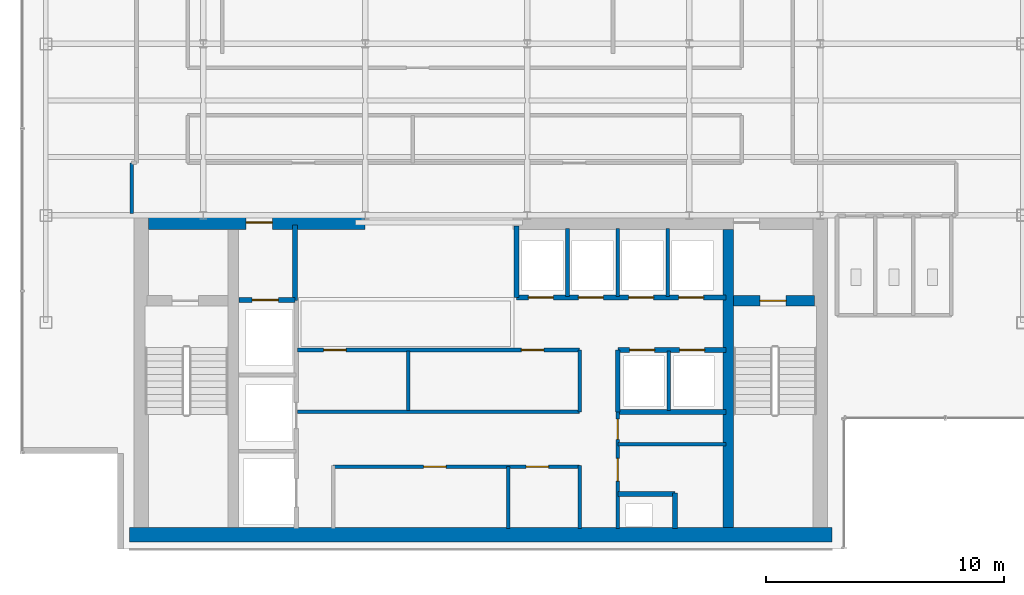
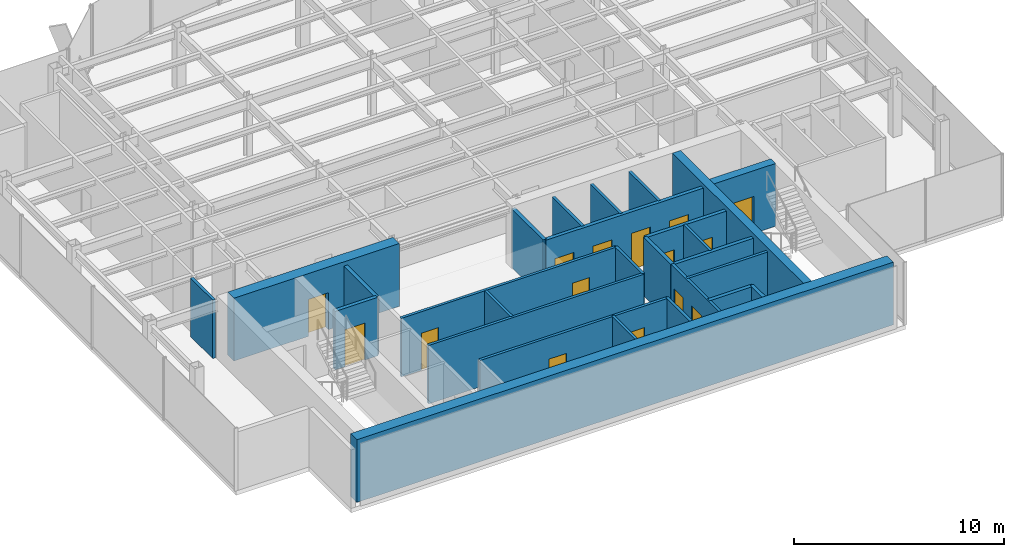
# One storey, part 17 of 22: 27 walls, 15 doors, 15 openings.
"""IFC4 building model written with IfcOpenShell, lengths in metres."""

from ifc_helpers import new_model, si_unit, derived_unit, direction, frame, frame_2d, origin, place, context, subcontext, project, spatial, rectangle, extrude, source, transform, mapped, material, layer, layer_set, type_object, element, fill, save


model = new_model("IFC4")

# Units and contexts
model_context = context("Model", 3, precision=1e-05, world=origin(), true_north=direction((0.0, 1.0)))
body_context = subcontext(model_context, "Body", "Model", "MODEL_VIEW")
ifc_project = project(units=[si_unit("LENGTHUNIT", "METRE"), si_unit("AREAUNIT", "SQUARE_METRE"), si_unit("VOLUMEUNIT", "CUBIC_METRE"), si_unit("PLANEANGLEUNIT", "RADIAN"), si_unit("MASSUNIT", "GRAM", prefix="KILO"), derived_unit("THERMALTRANSMITTANCEUNIT", [(si_unit("POWERUNIT", "WATT"), 1), (si_unit("LENGTHUNIT", "METRE"), -2), (si_unit("THERMODYNAMICTEMPERATUREUNIT", "KELVIN"), -1)])], contexts=[model_context])

# Site, building, storey
site_placement = place(None, origin())
site = spatial("IfcSite", under=ifc_project, at=site_placement, CompositionType="ELEMENT")
building_placement = place(site_placement, origin())
building = spatial("IfcBuilding", under=site, at=building_placement, Name="Skarnbrae Concourse Arena and Tower", CompositionType="ELEMENT")
storey_placement = place(building_placement, frame((0.0, 0.0, 262.449951171875)))
storey = spatial("IfcBuildingStorey", under=building, at=storey_placement, Name="L68", CompositionType="ELEMENT", Elevation=262.449951171875)

# Wall, opening, door
ifc_material_1 = material(Name="Concrete 50 MPa (C50/60)", Category="concrete")
ifc_layer_1 = layer(ifc_material_1, 0.449951171875)
ifc_layer_set_1 = layer_set([ifc_layer_1], Name="Concrete 50 MPa (C50/60)")
wall_type_1 = type_object("IfcWallType", Name="WALL-CORE-450-C50", PredefinedType="SHEAR", material=ifc_layer_set_1)
shared_shape_1 = source(origin(), body_context, "Body", "SweptSolid", [
    extrude(rectangle(XDim=3.389892578125, YDim=0.449951171875, at=frame_2d((1.69482421875, 0.0))), origin(), (0.0, 0.0, 1.0), 3.650146484375),
])
wall_1_placement = place(storey_placement, frame((29.860107421875, 10.419921875, 0.0), z_axis=(0.0, 0.0, 1.0), x_axis=(1.0, 0.0, 0.0)))
wall_1 = element("IfcWall", 1, at=wall_1_placement, inside=storey, type_object=wall_type_1, Name="L68 Rear core shear wall CW-ST2-N", PredefinedType="SHEAR", context=body_context, shape_type="MappedRepresentation", body=[
    mapped(shared_shape_1, transform((0.0, 0.0, 0.0))),
])
opening_1_placement = place(wall_1_placement, frame((1.10009765625, 0.0, 0.0)))
opening_1 = element("IfcOpeningElement", 2, at=opening_1_placement, cuts=wall_1, Name="Opening DT-03", PredefinedType="OPENING", context=body_context, shape_type="SweptSolid", body=[
    extrude(rectangle(XDim=1.10009765625, YDim=2.14990234375, at=frame_2d((0.550048828125, 1.074951171875))), frame((0.0, 0.23486328125, 0.0), z_axis=(0.0, -1.0, 0.0), x_axis=(1.0, 0.0, 0.0)), (0.0, 0.0, 1.0), 0.469970703125),
])
ifc_material_2 = material(Name="Steel CSA G40.21 350W", Category="steel")
door_type_1 = type_object("IfcDoorType", Name="DOOR-FIRE-1100-90M", OperationType="NOTDEFINED", PredefinedType="DOOR", material=ifc_material_2)
shared_shape_2 = source(origin(), body_context, "Body", "SweptSolid", [
    extrude(rectangle(XDim=1.10009765625, YDim=2.14990234375, at=frame_2d((0.550048828125, 1.074951171875))), frame((0.0, 0.02490234375, 0.0), z_axis=(0.0, -1.0, 0.0), x_axis=(1.0, 0.0, 0.0)), (0.0, 0.0, 1.0), 0.050048828125),
])
door_1_placement = place(opening_1_placement, frame((1.10009765625, 0.0, 0.0), z_axis=(0.0, 0.0, 1.0), x_axis=(-1.0, 0.0, 0.0)))
door_1 = element("IfcDoor", 3, at=door_1_placement, inside=storey, type_object=door_type_1, Name="D-2049 Stair ST-2 Door", OperationType="SINGLE_SWING_RIGHT", OverallHeight=2.14990234375, OverallWidth=1.10009765625, PredefinedType="DOOR", context=body_context, shape_type="MappedRepresentation", body=[
    mapped(shared_shape_2, transform((0.0, 0.0, 0.0))),
])
fill(opening_1, door_1)

# Wall
ifc_layer_2 = layer(ifc_material_1, 0.60009765625)
ifc_layer_set_2 = layer_set([ifc_layer_2], Name="Concrete 50 MPa (C50/60)")
wall_type_2 = type_object("IfcWallType", Name="WALL-CORE-600-C50", PredefinedType="SHEAR", material=ifc_layer_set_2)
shared_shape_3 = source(origin(), body_context, "Body", "SweptSolid", [
    extrude(rectangle(XDim=29.5, YDim=0.60009765625, at=frame_2d((14.75, 0.0))), origin(), (0.0, 0.0, 1.0), 3.650146484375),
])
wall_2_placement = place(storey_placement, frame((4.5, 0.60009765625, 0.0), z_axis=(0.0, 0.0, 1.0), x_axis=(1.0, 0.0, 0.0)))
element("IfcWall", 4, at=wall_2_placement, inside=storey, type_object=wall_type_2, Name="L68 Rear core shear wall CW-S", PredefinedType="SHEAR", context=body_context, shape_type="MappedRepresentation", body=[
    mapped(shared_shape_3, transform((0.0, 0.0, 0.0))),
])

# Wall, opening, door
shared_shape_4 = source(origin(), body_context, "Body", "SweptSolid", [
    extrude(rectangle(XDim=9.099853515625, YDim=0.60009765625, at=frame_2d((4.5498046875, 0.0))), origin(), (0.0, 0.0, 1.0), 3.650146484375),
])
wall_3_placement = place(storey_placement, frame((5.300048828125, 13.699951171875, 0.0), z_axis=(0.0, 0.0, 1.0), x_axis=(1.0, 0.0, 0.0)))
wall_3 = element("IfcWall", 5, at=wall_3_placement, inside=storey, type_object=wall_type_2, Name="L68 Rear core shear wall CW-NW", PredefinedType="SHEAR", context=body_context, shape_type="MappedRepresentation", body=[
    mapped(shared_shape_4, transform((0.0, 0.0, 0.0))),
])
opening_2_placement = place(wall_3_placement, frame((4.10009765625, 0.0, 0.0)))
opening_2 = element("IfcOpeningElement", 6, at=opening_2_placement, cuts=wall_3, Name="Opening DT-03", PredefinedType="OPENING", context=body_context, shape_type="SweptSolid", body=[
    extrude(rectangle(XDim=1.10009765625, YDim=2.14990234375, at=frame_2d((0.550048828125, 1.074951171875))), frame((0.0, 0.31005859375, 0.0), z_axis=(0.0, -1.0, 0.0), x_axis=(1.0, 0.0, 0.0)), (0.0, 0.0, 1.0), 0.6201171875),
])
door_2_placement = place(opening_2_placement, origin())
door_2 = element("IfcDoor", 7, at=door_2_placement, inside=storey, type_object=door_type_1, Name="D-2050 Firefighting Lobby Exit Door", OperationType="SINGLE_SWING_RIGHT", OverallHeight=2.14990234375, OverallWidth=1.10009765625, PredefinedType="DOOR", context=body_context, shape_type="MappedRepresentation", body=[
    mapped(shared_shape_2, transform((0.0, 0.0, 0.0))),
])
fill(opening_2, door_2)

# Walls
shared_shape_5 = source(origin(), body_context, "Body", "SweptSolid", [
    extrude(rectangle(XDim=12.5, YDim=0.449951171875, at=frame_2d((6.25, 0.0))), origin(), (0.0, 0.0, 1.0), 3.650146484375),
])
wall_4_placement = place(storey_placement, frame((29.635009765625, 0.89990234375, 0.0), z_axis=(0.0, 0.0, 1.0), x_axis=(0.0, 1.0, 0.0)))
element("IfcWall", 8, at=wall_4_placement, inside=storey, type_object=wall_type_1, Name="L68 Rear core shear wall CW-WEB-E", PredefinedType="SHEAR", context=body_context, shape_type="MappedRepresentation", body=[
    mapped(shared_shape_5, transform((0.0, 0.0, 0.0))),
])
ifc_material_3 = material(Name="Gypsum board on cold-formed steel studs", Category="steel")
ifc_layer_3 = layer(ifc_material_3, 0.199951171875)
ifc_layer_set_3 = layer_set([ifc_layer_3], Name="Gypsum board on cold-formed steel studs")
wall_type_3 = type_object("IfcWallType", Name="WALL-PART-200-2HR", PredefinedType="PARTITIONING", material=ifc_layer_set_3)
shared_shape_6 = source(origin(), body_context, "Body", "SweptSolid", [
    extrude(rectangle(XDim=3.18017578125, YDim=0.199951171875, at=frame_2d((1.590087890625, 0.0))), origin(), (0.0, 0.0, 1.0), 3.400146484375),
])
wall_5_placement = place(storey_placement, frame((11.449951171875, 10.419921875, 0.0), z_axis=(0.0, 0.0, 1.0), x_axis=(0.0, 1.0, 0.0)))
element("IfcWall", 9, at=wall_5_placement, inside=storey, type_object=wall_type_3, Name="L68 Interior partition wall W-L68-FFL-E", PredefinedType="PARTITIONING", context=body_context, shape_type="MappedRepresentation", body=[
    mapped(shared_shape_6, transform((0.0, 0.0, 0.0))),
])

# Wall, opening, door
shared_shape_7 = source(origin(), body_context, "Body", "SweptSolid", [
    extrude(rectangle(XDim=2.349853515625, YDim=0.199951171875, at=frame_2d((1.1748046875, 0.0))), origin(), (0.0, 0.0, 1.0), 3.400146484375),
])
wall_6_placement = place(storey_placement, frame((9.10009765625, 10.449951171875, 0.0), z_axis=(0.0, 0.0, 1.0), x_axis=(1.0, 0.0, 0.0)))
wall_6 = element("IfcWall", 10, at=wall_6_placement, inside=storey, type_object=wall_type_3, Name="L68 Interior partition wall W-L68-FL1-N", PredefinedType="PARTITIONING", context=body_context, shape_type="MappedRepresentation", body=[
    mapped(shared_shape_7, transform((0.0, 0.0, 0.0))),
])
opening_3_placement = place(wall_6_placement, frame((0.550048828125, 0.0, 0.0)))
opening_3 = element("IfcOpeningElement", 11, at=opening_3_placement, cuts=wall_6, Name="Opening LD-01", PredefinedType="OPENING", context=body_context, shape_type="SweptSolid", body=[
    extrude(rectangle(XDim=1.10009765625, YDim=2.14990234375, at=frame_2d((0.550048828125, 1.074951171875))), frame((0.0, 0.10986328125, 0.0), z_axis=(0.0, -1.0, 0.0), x_axis=(1.0, 0.0, 0.0)), (0.0, 0.0, 1.0), 0.219970703125),
])
door_type_2 = type_object("IfcDoorType", Name="DOOR-LIFT-SLIDE-1100", OperationType="SLIDING_TO_LEFT", PredefinedType="DOOR", material=ifc_material_2)
door_3_placement = place(opening_3_placement, origin())
door_3 = element("IfcDoor", 12, at=door_3_placement, inside=storey, type_object=door_type_2, Name="D-2052 Firefighting Lift Landing Door FL-01", OperationType="SLIDING_TO_LEFT", OverallHeight=2.14990234375, OverallWidth=1.10009765625, PredefinedType="DOOR", context=body_context, shape_type="MappedRepresentation", body=[
    mapped(shared_shape_2, transform((0.0, 0.0, 0.0))),
])
fill(opening_3, door_3)

# Walls
ifc_layer_4 = layer(ifc_material_3, 0.14990234375)
ifc_layer_set_4 = layer_set([ifc_layer_4], Name="Gypsum board on cold-formed steel studs")
wall_type_4 = type_object("IfcWallType", Name="WALL-PART-150", PredefinedType="PARTITIONING", material=ifc_layer_set_4)
shared_shape_8 = source(origin(), body_context, "Body", "SweptSolid", [
    extrude(rectangle(XDim=2.599853515625, YDim=0.14990234375, at=frame_2d((1.2998046875, 0.0))), origin(), (0.0, 0.0, 1.0), 3.400146484375),
])
wall_7_placement = place(storey_placement, frame((20.39990234375, 0.85009765625, 0.0), z_axis=(0.0, 0.0, 1.0), x_axis=(0.0, 1.0, 0.0)))
element("IfcWall", 13, at=wall_7_placement, inside=storey, type_object=wall_type_4, Name="L68 Interior partition wall W-L68-B1M-C1", PredefinedType="PARTITIONING", context=body_context, shape_type="MappedRepresentation", body=[
    mapped(shared_shape_8, transform((0.0, 0.0, 0.0))),
])
shared_shape_9 = source(origin(), body_context, "Body", "SweptSolid", [
    extrude(rectangle(XDim=2.60009765625, YDim=0.199951171875, at=frame_2d((1.300048828125, 0.0))), origin(), (0.0, 0.0, 1.0), 3.400146484375),
])
wall_8_placement = place(storey_placement, frame((25.0, 5.75, 0.0), z_axis=(0.0, 0.0, 1.0), x_axis=(0.0, 1.0, 0.0)))
element("IfcWall", 14, at=wall_8_placement, inside=storey, type_object=wall_type_3, Name="L68 Interior partition wall W-L68-B3S-W", PredefinedType="PARTITIONING", context=body_context, shape_type="MappedRepresentation", body=[
    mapped(shared_shape_9, transform((0.0, 0.0, 0.0))),
])
shared_shape_10 = source(origin(), body_context, "Body", "SweptSolid", [
    extrude(rectangle(XDim=2.5, YDim=0.14990234375, at=frame_2d((1.25, 0.0))), origin(), (0.0, 0.0, 1.0), 3.400146484375),
])
for number, where, z_axis, x_axis, name in (
    (15, (16.199951171875, 5.800048828125, 0.0), (0.0, 0.0, 1.0), (0.0, 1.0, 0.0), "L68 Interior partition wall W-L68-B2M-MID"),
    (16, (27.139892578125, 5.800048828125, 0.0), (0.0, 0.0, 1.0), (0.0, 1.0, 0.0), "L68 Interior partition wall W-L68-B3S-P1"),
):
    element("IfcWall", number, at=place(storey_placement, frame(where, z_axis=z_axis, x_axis=x_axis)), inside=storey, type_object=wall_type_4, Name=name, PredefinedType="PARTITIONING", context=body_context, shape_type="MappedRepresentation", body=[
        mapped(shared_shape_10, transform((0.0, 0.0, 0.0))),
    ])

# Wall, openings, doors
shared_shape_11 = source(origin(), body_context, "Body", "SweptSolid", [
    extrude(rectangle(XDim=8.800048828125, YDim=0.199951171875, at=frame_2d((4.39990234375, 0.0))), origin(), (0.0, 0.0, 1.0), 3.400146484375),
])
wall_9_placement = place(storey_placement, frame((20.75, 10.550048828125, 0.0), z_axis=(0.0, 0.0, 1.0), x_axis=(1.0, 0.0, 0.0)))
wall_9 = element("IfcWall", 17, at=wall_9_placement, inside=storey, type_object=wall_type_3, Name="L68 Interior partition wall W-L68-B3N-S", PredefinedType="PARTITIONING", context=body_context, shape_type="MappedRepresentation", body=[
    mapped(shared_shape_11, transform((0.0, 0.0, 0.0))),
])
opening_4_placement = place(wall_9_placement, frame((0.5, 0.0, 0.0)))
opening_4 = element("IfcOpeningElement", 18, at=opening_4_placement, cuts=wall_9, Name="Opening LD-04", PredefinedType="OPENING", context=body_context, shape_type="SweptSolid", body=[
    extrude(rectangle(XDim=1.050048828125, YDim=2.14990234375, at=frame_2d((0.52490234375, 1.074951171875))), frame((0.0, 0.10986328125, 0.0), z_axis=(0.0, -1.0, 0.0), x_axis=(1.0, 0.0, 0.0)), (0.0, 0.0, 1.0), 0.219970703125),
])
opening_5_placement = place(wall_9_placement, frame((2.60009765625, 0.0, 0.0)))
opening_5 = element("IfcOpeningElement", 19, at=opening_5_placement, cuts=wall_9, Name="Opening LD-04", PredefinedType="OPENING", context=body_context, shape_type="SweptSolid", body=[
    extrude(rectangle(XDim=1.050048828125, YDim=2.14990234375, at=frame_2d((0.52490234375, 1.074951171875))), frame((0.0, 0.10986328125, 0.0), z_axis=(0.0, -1.0, 0.0), x_axis=(1.0, 0.0, 0.0)), (0.0, 0.0, 1.0), 0.219970703125),
])
opening_6_placement = place(wall_9_placement, frame((4.699951171875, 0.0, 0.0)))
opening_6 = element("IfcOpeningElement", 20, at=opening_6_placement, cuts=wall_9, Name="Opening LD-04", PredefinedType="OPENING", context=body_context, shape_type="SweptSolid", body=[
    extrude(rectangle(XDim=1.050048828125, YDim=2.14990234375, at=frame_2d((0.52490234375, 1.074951171875))), frame((0.0, 0.10986328125, 0.0), z_axis=(0.0, -1.0, 0.0), x_axis=(1.0, 0.0, 0.0)), (0.0, 0.0, 1.0), 0.219970703125),
])
opening_7_placement = place(wall_9_placement, frame((6.800048828125, 0.0, 0.0)))
opening_7 = element("IfcOpeningElement", 21, at=opening_7_placement, cuts=wall_9, Name="Opening LD-04", PredefinedType="OPENING", context=body_context, shape_type="SweptSolid", body=[
    extrude(rectangle(XDim=1.050048828125, YDim=2.14990234375, at=frame_2d((0.52490234375, 1.074951171875))), frame((0.0, 0.10986328125, 0.0), z_axis=(0.0, -1.0, 0.0), x_axis=(1.0, 0.0, 0.0)), (0.0, 0.0, 1.0), 0.219970703125),
])
ifc_material_4 = material(Name="Bronze anodised aluminium 6063-T6", Category="aluminium")
door_type_3 = type_object("IfcDoorType", Name="DOOR-LIFT-SLIDE-1050H", OperationType="SLIDING_TO_LEFT", PredefinedType="DOOR", material=ifc_material_4)
shared_shape_12 = source(origin(), body_context, "Body", "SweptSolid", [
    extrude(rectangle(XDim=1.050048828125, YDim=2.14990234375, at=frame_2d((0.52490234375, 1.074951171875))), frame((0.0, 0.02490234375, 0.0), z_axis=(0.0, -1.0, 0.0), x_axis=(1.0, 0.0, 0.0)), (0.0, 0.0, 1.0), 0.050048828125),
])
door_4_placement = place(opening_4_placement, frame((1.050048828125, 0.0, 0.0), z_axis=(0.0, 0.0, 1.0), x_axis=(-1.0, 0.0, 0.0)))
door_4 = element("IfcDoor", 22, at=door_4_placement, inside=storey, type_object=door_type_3, Name="D-2059 Passenger Lift Landing Door PL-3A", OperationType="SLIDING_TO_LEFT", OverallHeight=2.14990234375, OverallWidth=1.050048828125, PredefinedType="DOOR", context=body_context, shape_type="MappedRepresentation", body=[
    mapped(shared_shape_12, transform((0.0, 0.0, 0.0))),
])
fill(opening_4, door_4)
door_5_placement = place(opening_5_placement, frame((1.050048828125, 0.0, 0.0), z_axis=(0.0, 0.0, 1.0), x_axis=(-1.0, 0.0, 0.0)))
door_5 = element("IfcDoor", 23, at=door_5_placement, inside=storey, type_object=door_type_3, Name="D-2060 Passenger Lift Landing Door PL-3B", OperationType="SLIDING_TO_LEFT", OverallHeight=2.14990234375, OverallWidth=1.050048828125, PredefinedType="DOOR", context=body_context, shape_type="MappedRepresentation", body=[
    mapped(shared_shape_12, transform((0.0, 0.0, 0.0))),
])
fill(opening_5, door_5)
door_6_placement = place(opening_6_placement, frame((1.050048828125, 0.0, 0.0), z_axis=(0.0, 0.0, 1.0), x_axis=(-1.0, 0.0, 0.0)))
door_6 = element("IfcDoor", 24, at=door_6_placement, inside=storey, type_object=door_type_3, Name="D-2061 Passenger Lift Landing Door PL-3C", OperationType="SLIDING_TO_LEFT", OverallHeight=2.14990234375, OverallWidth=1.050048828125, PredefinedType="DOOR", context=body_context, shape_type="MappedRepresentation", body=[
    mapped(shared_shape_12, transform((0.0, 0.0, 0.0))),
])
fill(opening_6, door_6)
door_7_placement = place(opening_7_placement, frame((1.050048828125, 0.0, 0.0), z_axis=(0.0, 0.0, 1.0), x_axis=(-1.0, 0.0, 0.0)))
door_7 = element("IfcDoor", 25, at=door_7_placement, inside=storey, type_object=door_type_3, Name="D-2062 Passenger Lift Landing Door PL-3D", OperationType="SLIDING_TO_LEFT", OverallHeight=2.14990234375, OverallWidth=1.050048828125, PredefinedType="DOOR", context=body_context, shape_type="MappedRepresentation", body=[
    mapped(shared_shape_12, transform((0.0, 0.0, 0.0))),
])
fill(opening_7, door_7)

# Walls
shared_shape_13 = source(origin(), body_context, "Body", "SweptSolid", [
    extrude(rectangle(XDim=3.0, YDim=0.199951171875, at=frame_2d((1.5, 0.0))), origin(), (0.0, 0.0, 1.0), 3.400146484375),
])
wall_10_placement = place(storey_placement, frame((20.75, 10.550048828125, 0.0), z_axis=(0.0, 0.0, 1.0), x_axis=(0.0, 1.0, 0.0)))
element("IfcWall", 26, at=wall_10_placement, inside=storey, type_object=wall_type_3, Name="L68 Interior partition wall W-L68-B3N-W", PredefinedType="PARTITIONING", context=body_context, shape_type="MappedRepresentation", body=[
    mapped(shared_shape_13, transform((0.0, 0.0, 0.0))),
])
shared_shape_14 = source(origin(), body_context, "Body", "SweptSolid", [
    extrude(rectangle(XDim=2.849853515625, YDim=0.14990234375, at=frame_2d((1.4248046875, 0.0))), origin(), (0.0, 0.0, 1.0), 3.400146484375),
])
for number, where, z_axis, x_axis, name in (
    (27, (22.889892578125, 10.60009765625, 0.0), (0.0, 0.0, 1.0), (0.0, 1.0, 0.0), "L68 Interior partition wall W-L68-B3N-P1"),
    (28, (24.989990234375, 10.60009765625, 0.0), (0.0, 0.0, 1.0), (0.0, 1.0, 0.0), "L68 Interior partition wall W-L68-B3N-P2"),
    (29, (27.090087890625, 10.60009765625, 0.0), (0.0, 0.0, 1.0), (0.0, 1.0, 0.0), "L68 Interior partition wall W-L68-B3N-P3"),
):
    element("IfcWall", number, at=place(storey_placement, frame(where, z_axis=z_axis, x_axis=x_axis)), inside=storey, type_object=wall_type_4, Name=name, PredefinedType="PARTITIONING", context=body_context, shape_type="MappedRepresentation", body=[
        mapped(shared_shape_14, transform((0.0, 0.0, 0.0))),
    ])

# Wall, openings, doors
shared_shape_15 = source(origin(), body_context, "Body", "SweptSolid", [
    extrude(rectangle(XDim=4.550048828125, YDim=0.199951171875, at=frame_2d((2.27490234375, 0.0))), origin(), (0.0, 0.0, 1.0), 3.400146484375),
])
wall_11_placement = place(storey_placement, frame((25.0, 8.35009765625, 0.0), z_axis=(0.0, 0.0, 1.0), x_axis=(1.0, 0.0, 0.0)))
wall_11 = element("IfcWall", 30, at=wall_11_placement, inside=storey, type_object=wall_type_3, Name="L68 Interior partition wall W-L68-B3S-N", PredefinedType="PARTITIONING", context=body_context, shape_type="MappedRepresentation", body=[
    mapped(shared_shape_15, transform((0.0, 0.0, 0.0))),
])
opening_8_placement = place(wall_11_placement, frame((0.5, 0.0, 0.0)))
opening_8 = element("IfcOpeningElement", 31, at=opening_8_placement, cuts=wall_11, Name="Opening LD-04", PredefinedType="OPENING", context=body_context, shape_type="SweptSolid", body=[
    extrude(rectangle(XDim=1.050048828125, YDim=2.14990234375, at=frame_2d((0.52490234375, 1.074951171875))), frame((0.0, 0.10986328125, 0.0), z_axis=(0.0, -1.0, 0.0), x_axis=(1.0, 0.0, 0.0)), (0.0, 0.0, 1.0), 0.219970703125),
])
opening_9_placement = place(wall_11_placement, frame((2.60009765625, 0.0, 0.0)))
opening_9 = element("IfcOpeningElement", 32, at=opening_9_placement, cuts=wall_11, Name="Opening LD-04", PredefinedType="OPENING", context=body_context, shape_type="SweptSolid", body=[
    extrude(rectangle(XDim=1.050048828125, YDim=2.14990234375, at=frame_2d((0.52490234375, 1.074951171875))), frame((0.0, 0.10986328125, 0.0), z_axis=(0.0, -1.0, 0.0), x_axis=(1.0, 0.0, 0.0)), (0.0, 0.0, 1.0), 0.219970703125),
])
door_8_placement = place(opening_8_placement, origin())
door_8 = element("IfcDoor", 33, at=door_8_placement, inside=storey, type_object=door_type_3, Name="D-2063 Passenger Lift Landing Door PL-3E", OperationType="SLIDING_TO_LEFT", OverallHeight=2.14990234375, OverallWidth=1.050048828125, PredefinedType="DOOR", context=body_context, shape_type="MappedRepresentation", body=[
    mapped(shared_shape_12, transform((0.0, 0.0, 0.0))),
])
fill(opening_8, door_8)
door_9_placement = place(opening_9_placement, origin())
door_9 = element("IfcDoor", 34, at=door_9_placement, inside=storey, type_object=door_type_3, Name="D-2064 Passenger Lift Landing Door PL-3F", OperationType="SLIDING_TO_LEFT", OverallHeight=2.14990234375, OverallWidth=1.050048828125, PredefinedType="DOOR", context=body_context, shape_type="MappedRepresentation", body=[
    mapped(shared_shape_12, transform((0.0, 0.0, 0.0))),
])
fill(opening_9, door_9)

# Wall
wall_12_placement = place(storey_placement, frame((25.0, 5.75, 0.0), z_axis=(0.0, 0.0, 1.0), x_axis=(1.0, 0.0, 0.0)))
element("IfcWall", 35, at=wall_12_placement, inside=storey, type_object=wall_type_3, Name="L68 Interior partition wall W-L68-B3S-S", PredefinedType="PARTITIONING", context=body_context, shape_type="MappedRepresentation", body=[
    mapped(shared_shape_15, transform((0.0, 0.0, 0.0))),
])

# Wall, openings, doors
ifc_layer_5 = layer(ifc_material_3, 0.14990234375)
ifc_layer_set_5 = layer_set([ifc_layer_5], Name="Gypsum board on cold-formed steel studs")
wall_type_5 = type_object("IfcWallType", Name="WALL-PART-150-1HR", PredefinedType="PARTITIONING", material=ifc_layer_set_5)
shared_shape_16 = source(origin(), body_context, "Body", "SweptSolid", [
    extrude(rectangle(XDim=4.89990234375, YDim=0.14990234375, at=frame_2d((2.449951171875, 0.0))), origin(), (0.0, 0.0, 1.0), 3.400146484375),
])
wall_13_placement = place(storey_placement, frame((25.0, 0.85009765625, 0.0), z_axis=(0.0, 0.0, 1.0), x_axis=(0.0, 1.0, 0.0)))
wall_13 = element("IfcWall", 36, at=wall_13_placement, inside=storey, type_object=wall_type_5, Name="L68 Interior partition wall W-L68-CSV-W", PredefinedType="PARTITIONING", context=body_context, shape_type="MappedRepresentation", body=[
    mapped(shared_shape_16, transform((0.0, 0.0, 0.0))),
])
opening_10_placement = place(wall_13_placement, frame((2.0, 0.0, 0.0)))
opening_10 = element("IfcOpeningElement", 37, at=opening_10_placement, cuts=wall_13, Name="Opening DT-04", PredefinedType="OPENING", context=body_context, shape_type="SweptSolid", body=[
    extrude(rectangle(XDim=0.949951171875, YDim=2.14990234375, at=frame_2d((0.47509765625, 1.074951171875))), frame((0.0, 0.0849609375, 0.0), z_axis=(0.0, -1.0, 0.0), x_axis=(1.0, 0.0, 0.0)), (0.0, 0.0, 1.0), 0.169921875),
])
opening_11_placement = place(wall_13_placement, frame((3.75, 0.0, 0.0)))
opening_11 = element("IfcOpeningElement", 38, at=opening_11_placement, cuts=wall_13, Name="Opening DT-08", PredefinedType="OPENING", context=body_context, shape_type="SweptSolid", body=[
    extrude(rectangle(XDim=0.85009765625, YDim=2.14990234375, at=frame_2d((0.425048828125, 1.074951171875))), frame((0.0, 0.0849609375, 0.0), z_axis=(0.0, -1.0, 0.0), x_axis=(1.0, 0.0, 0.0)), (0.0, 0.0, 1.0), 0.169921875),
])
door_type_4 = type_object("IfcDoorType", Name="DOOR-INT-950-45M", OperationType="NOTDEFINED", PredefinedType="DOOR", material=ifc_material_2)
shared_shape_17 = source(origin(), body_context, "Body", "SweptSolid", [
    extrude(rectangle(XDim=0.949951171875, YDim=2.14990234375, at=frame_2d((0.47509765625, 1.074951171875))), frame((0.0, 0.02490234375, 0.0), z_axis=(0.0, -1.0, 0.0), x_axis=(1.0, 0.0, 0.0)), (0.0, 0.0, 1.0), 0.050048828125),
])
door_10_placement = place(opening_10_placement, origin())
door_10 = element("IfcDoor", 39, at=door_10_placement, inside=storey, type_object=door_type_4, Name="D-2065 Telemetry Room Door", OperationType="SINGLE_SWING_LEFT", OverallHeight=2.14990234375, OverallWidth=0.949951171875, PredefinedType="DOOR", context=body_context, shape_type="MappedRepresentation", body=[
    mapped(shared_shape_17, transform((0.0, 0.0, 0.0))),
])
fill(opening_10, door_10)
door_type_5 = type_object("IfcDoorType", Name="DOOR-INT-850-45M", OperationType="NOTDEFINED", PredefinedType="DOOR", material=ifc_material_2)
shared_shape_18 = source(origin(), body_context, "Body", "SweptSolid", [
    extrude(rectangle(XDim=0.85009765625, YDim=2.14990234375, at=frame_2d((0.425048828125, 1.074951171875))), frame((0.0, 0.02490234375, 0.0), z_axis=(0.0, -1.0, 0.0), x_axis=(1.0, 0.0, 0.0)), (0.0, 0.0, 1.0), 0.050048828125),
])
door_11_placement = place(opening_11_placement, origin())
door_11 = element("IfcDoor", 40, at=door_11_placement, inside=storey, type_object=door_type_5, Name="D-2066 Recycling Room Door", OperationType="SINGLE_SWING_RIGHT", OverallHeight=2.14990234375, OverallWidth=0.85009765625, PredefinedType="DOOR", context=body_context, shape_type="MappedRepresentation", body=[
    mapped(shared_shape_18, transform((0.0, 0.0, 0.0))),
])
fill(opening_11, door_11)

# Walls
shared_shape_19 = source(origin(), body_context, "Body", "SweptSolid", [
    extrude(rectangle(XDim=2.39990234375, YDim=0.199951171875, at=frame_2d((1.199951171875, 0.0))), origin(), (0.0, 0.0, 1.0), 3.400146484375),
])
wall_14_placement = place(storey_placement, frame((25.0, 2.300048828125, 0.0), z_axis=(0.0, 0.0, 1.0), x_axis=(1.0, 0.0, 0.0)))
element("IfcWall", 41, at=wall_14_placement, inside=storey, type_object=wall_type_3, Name="L68 Interior partition wall W-L68-MEP-N", PredefinedType="PARTITIONING", context=body_context, shape_type="MappedRepresentation", body=[
    mapped(shared_shape_19, transform((0.0, 0.0, 0.0))),
])
shared_shape_20 = source(origin(), body_context, "Body", "SweptSolid", [
    extrude(rectangle(XDim=1.5, YDim=0.199951171875, at=frame_2d((0.75, 0.0))), origin(), (0.0, 0.0, 1.0), 3.400146484375),
])
wall_15_placement = place(storey_placement, frame((27.39990234375, 0.85009765625, 0.0), z_axis=(0.0, 0.0, 1.0), x_axis=(0.0, 1.0, 0.0)))
element("IfcWall", 42, at=wall_15_placement, inside=storey, type_object=wall_type_3, Name="L68 Interior partition wall W-L68-MEP-E", PredefinedType="PARTITIONING", context=body_context, shape_type="MappedRepresentation", body=[
    mapped(shared_shape_20, transform((0.0, 0.0, 0.0))),
])
shared_shape_21 = source(origin(), body_context, "Body", "SweptSolid", [
    extrude(rectangle(XDim=4.550048828125, YDim=0.14990234375, at=frame_2d((2.27490234375, 0.0))), origin(), (0.0, 0.0, 1.0), 3.400146484375),
])
wall_16_placement = place(storey_placement, frame((25.0, 4.39990234375, 0.0), z_axis=(0.0, 0.0, 1.0), x_axis=(1.0, 0.0, 0.0)))
element("IfcWall", 43, at=wall_16_placement, inside=storey, type_object=wall_type_4, Name="L68 Interior partition wall W-L68-CSV-H", PredefinedType="PARTITIONING", context=body_context, shape_type="MappedRepresentation", body=[
    mapped(shared_shape_21, transform((0.0, 0.0, 0.0))),
])
shared_shape_22 = source(origin(), body_context, "Body", "SweptSolid", [
    extrude(rectangle(XDim=2.64990234375, YDim=0.14990234375, at=frame_2d((1.324951171875, 0.0))), origin(), (0.0, 0.0, 1.0), 3.400146484375),
])
wall_17_placement = place(storey_placement, frame((23.39990234375, 0.85009765625, 0.0), z_axis=(0.0, 0.0, 1.0), x_axis=(0.0, 1.0, 0.0)))
element("IfcWall", 44, at=wall_17_placement, inside=storey, type_object=wall_type_5, Name="L68 Interior partition wall W-L68-B1M-E", PredefinedType="PARTITIONING", context=body_context, shape_type="MappedRepresentation", body=[
    mapped(shared_shape_22, transform((0.0, 0.0, 0.0))),
])

# Wall, openings, doors
shared_shape_23 = source(origin(), body_context, "Body", "SweptSolid", [
    extrude(rectangle(XDim=10.349853515625, YDim=0.14990234375, at=frame_2d((5.1748046875, 0.0))), origin(), (0.0, 0.0, 1.0), 3.400146484375),
])
wall_18_placement = place(storey_placement, frame((13.050048828125, 3.449951171875, 0.0), z_axis=(0.0, 0.0, 1.0), x_axis=(1.0, 0.0, 0.0)))
wall_18 = element("IfcWall", 45, at=wall_18_placement, inside=storey, type_object=wall_type_5, Name="L68 Interior partition wall W-L68-B1M-N", PredefinedType="PARTITIONING", context=body_context, shape_type="MappedRepresentation", body=[
    mapped(shared_shape_23, transform((0.0, 0.0, 0.0))),
])
opening_12_placement = place(wall_18_placement, frame((3.800048828125, 0.0, 0.0)))
opening_12 = element("IfcOpeningElement", 46, at=opening_12_placement, cuts=wall_18, Name="Opening DT-04", PredefinedType="OPENING", context=body_context, shape_type="SweptSolid", body=[
    extrude(rectangle(XDim=0.949951171875, YDim=2.14990234375, at=frame_2d((0.47509765625, 1.074951171875))), frame((0.0, 0.0849609375, 0.0), z_axis=(0.0, -1.0, 0.0), x_axis=(1.0, 0.0, 0.0)), (0.0, 0.0, 1.0), 0.169921875),
])
opening_13_placement = place(wall_18_placement, frame((8.10009765625, 0.0, 0.0)))
opening_13 = element("IfcOpeningElement", 47, at=opening_13_placement, cuts=wall_18, Name="Opening DT-04", PredefinedType="OPENING", context=body_context, shape_type="SweptSolid", body=[
    extrude(rectangle(XDim=0.949951171875, YDim=2.14990234375, at=frame_2d((0.47509765625, 1.074951171875))), frame((0.0, 0.0849609375, 0.0), z_axis=(0.0, -1.0, 0.0), x_axis=(1.0, 0.0, 0.0)), (0.0, 0.0, 1.0), 0.169921875),
])
door_12_placement = place(opening_12_placement, origin())
door_12 = element("IfcDoor", 48, at=door_12_placement, inside=storey, type_object=door_type_4, Name="D-2055 Staff Locker Door", OperationType="SINGLE_SWING_LEFT", OverallHeight=2.14990234375, OverallWidth=0.949951171875, PredefinedType="DOOR", context=body_context, shape_type="MappedRepresentation", body=[
    mapped(shared_shape_17, transform((0.0, 0.0, 0.0))),
])
fill(opening_12, door_12)
door_13_placement = place(opening_13_placement, origin())
door_13 = element("IfcDoor", 49, at=door_13_placement, inside=storey, type_object=door_type_4, Name="D-2056 Janitor Store Door", OperationType="SINGLE_SWING_RIGHT", OverallHeight=2.14990234375, OverallWidth=0.949951171875, PredefinedType="DOOR", context=body_context, shape_type="MappedRepresentation", body=[
    mapped(shared_shape_17, transform((0.0, 0.0, 0.0))),
])
fill(opening_13, door_13)

# Wall
shared_shape_24 = source(origin(), body_context, "Body", "SweptSolid", [
    extrude(rectangle(XDim=11.849853515625, YDim=0.14990234375, at=frame_2d((5.9248046875, 0.0))), origin(), (0.0, 0.0, 1.0), 3.400146484375),
])
wall_19_placement = place(storey_placement, frame((11.550048828125, 5.75, 0.0), z_axis=(0.0, 0.0, 1.0), x_axis=(1.0, 0.0, 0.0)))
element("IfcWall", 50, at=wall_19_placement, inside=storey, type_object=wall_type_5, Name="L68 Interior partition wall W-L68-B2M-S", PredefinedType="PARTITIONING", context=body_context, shape_type="MappedRepresentation", body=[
    mapped(shared_shape_24, transform((0.0, 0.0, 0.0))),
])

# Wall, openings, doors
wall_20_placement = place(storey_placement, frame((11.550048828125, 8.35009765625, 0.0), z_axis=(0.0, 0.0, 1.0), x_axis=(1.0, 0.0, 0.0)))
wall_20 = element("IfcWall", 51, at=wall_20_placement, inside=storey, type_object=wall_type_5, Name="L68 Interior partition wall W-L68-B2M-N", PredefinedType="PARTITIONING", context=body_context, shape_type="MappedRepresentation", body=[
    mapped(shared_shape_24, transform((0.0, 0.0, 0.0))),
])
opening_14_placement = place(wall_20_placement, frame((1.10009765625, 0.0, 0.0)))
opening_14 = element("IfcOpeningElement", 52, at=opening_14_placement, cuts=wall_20, Name="Opening DT-04", PredefinedType="OPENING", context=body_context, shape_type="SweptSolid", body=[
    extrude(rectangle(XDim=0.949951171875, YDim=2.14990234375, at=frame_2d((0.47509765625, 1.074951171875))), frame((0.0, 0.0849609375, 0.0), z_axis=(0.0, -1.0, 0.0), x_axis=(1.0, 0.0, 0.0)), (0.0, 0.0, 1.0), 0.169921875),
])
opening_15_placement = place(wall_20_placement, frame((9.39990234375, 0.0, 0.0)))
opening_15 = element("IfcOpeningElement", 53, at=opening_15_placement, cuts=wall_20, Name="Opening DT-04", PredefinedType="OPENING", context=body_context, shape_type="SweptSolid", body=[
    extrude(rectangle(XDim=0.949951171875, YDim=2.14990234375, at=frame_2d((0.47509765625, 1.074951171875))), frame((0.0, 0.0849609375, 0.0), z_axis=(0.0, -1.0, 0.0), x_axis=(1.0, 0.0, 0.0)), (0.0, 0.0, 1.0), 0.169921875),
])
door_14_placement = place(opening_14_placement, origin())
door_14 = element("IfcDoor", 54, at=door_14_placement, inside=storey, type_object=door_type_4, Name="D-2057 High-Zone Data Door", OperationType="SINGLE_SWING_RIGHT", OverallHeight=2.14990234375, OverallWidth=0.949951171875, PredefinedType="DOOR", context=body_context, shape_type="MappedRepresentation", body=[
    mapped(shared_shape_17, transform((0.0, 0.0, 0.0))),
])
fill(opening_14, door_14)
door_15_placement = place(opening_15_placement, origin())
door_15 = element("IfcDoor", 55, at=door_15_placement, inside=storey, type_object=door_type_4, Name="D-2058 Reprographics Door", OperationType="SINGLE_SWING_LEFT", OverallHeight=2.14990234375, OverallWidth=0.949951171875, PredefinedType="DOOR", context=body_context, shape_type="MappedRepresentation", body=[
    mapped(shared_shape_17, transform((0.0, 0.0, 0.0))),
])
fill(opening_15, door_15)

# Walls
shared_shape_25 = source(origin(), body_context, "Body", "SweptSolid", [
    extrude(rectangle(XDim=2.60009765625, YDim=0.14990234375, at=frame_2d((1.300048828125, 0.0))), origin(), (0.0, 0.0, 1.0), 3.400146484375),
])
wall_21_placement = place(storey_placement, frame((23.39990234375, 5.75, 0.0), z_axis=(0.0, 0.0, 1.0), x_axis=(0.0, 1.0, 0.0)))
element("IfcWall", 56, at=wall_21_placement, inside=storey, type_object=wall_type_5, Name="L68 Interior partition wall W-L68-B2M-E", PredefinedType="PARTITIONING", context=body_context, shape_type="MappedRepresentation", body=[
    mapped(shared_shape_25, transform((0.0, 0.0, 0.0))),
])
shared_shape_26 = source(origin(), body_context, "Body", "SweptSolid", [
    extrude(rectangle(XDim=2.119873046875, YDim=0.14990234375, at=frame_2d((1.06005859375, 0.0))), origin(), (0.0, 0.0, 1.0), 3.400146484375),
])
wall_22_placement = place(storey_placement, frame((4.60009765625, 14.080078125, 0.0), z_axis=(0.0, 0.0, 1.0), x_axis=(0.0, 1.0, 0.0)))
element("IfcWall", 57, at=wall_22_placement, inside=storey, type_object=wall_type_5, Name="L68 Interior partition wall W-L68-COR-01", PredefinedType="PARTITIONING", context=body_context, shape_type="MappedRepresentation", body=[
    mapped(shared_shape_26, transform((0.0, 0.0, 0.0))),
])

save(model, "model.ifc")
